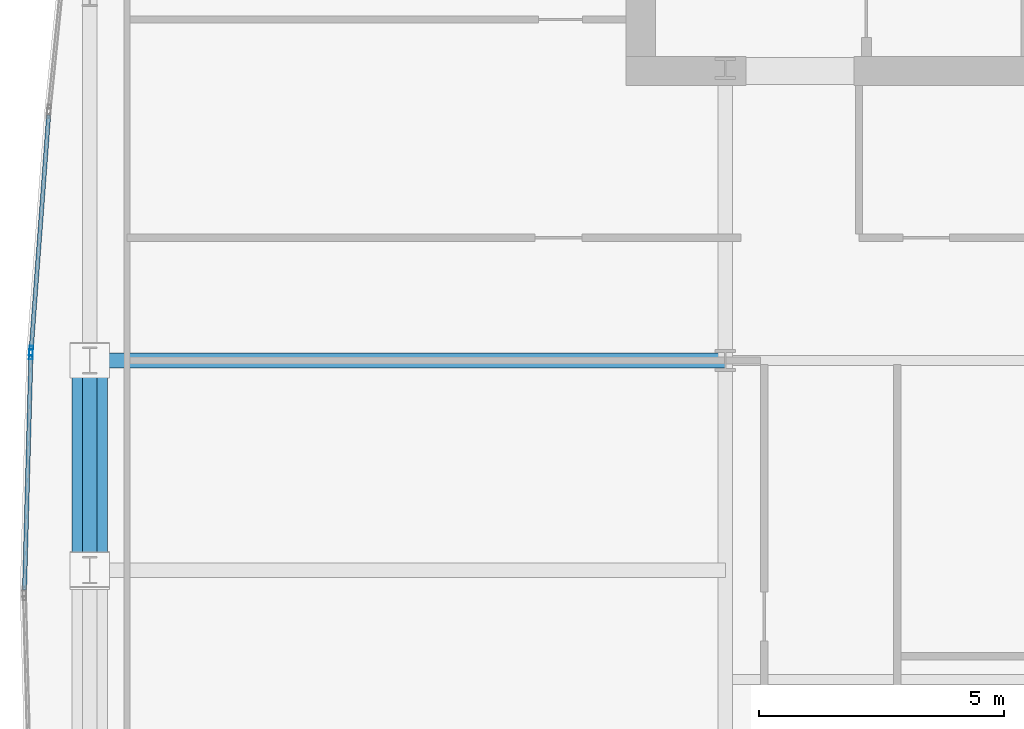
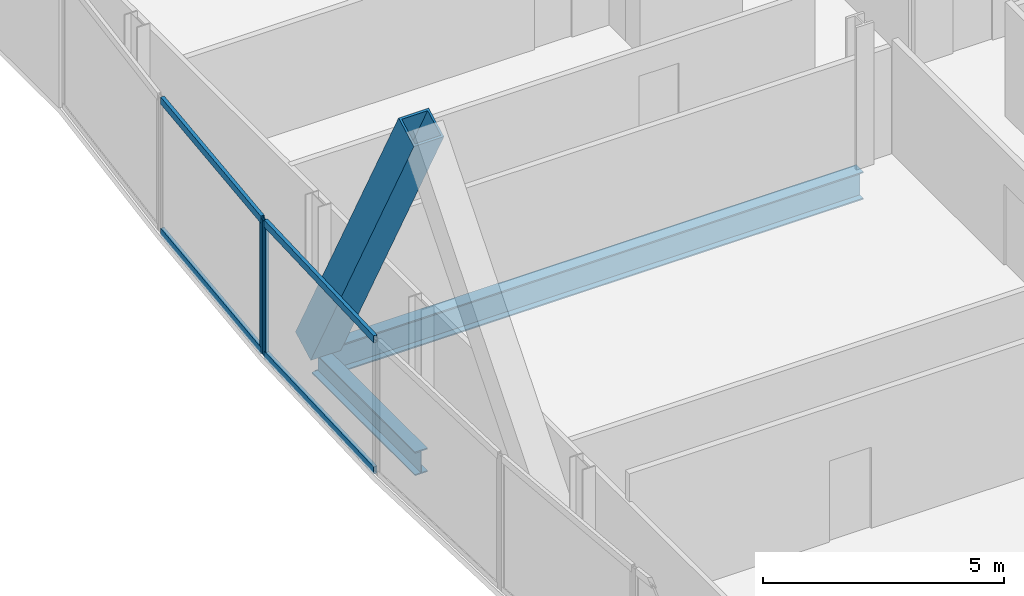
# One storey, part 11 of 29: 7 members, 2 beams, 2 elements without a shape of their own.
"""IFC4 building model written with IfcOpenShell, lengths in metres."""

from ifc_helpers import new_model, si_unit, direction, frame, origin, origin_2d, place, context, subcontext, project, spatial, hollow_rectangle, i_section, extrude, material, material_profile, profile_set, type_object, element, aggregate, save


model = new_model("IFC4")

# Units and contexts
model_context = context("Model", 3, precision=1e-05, world=origin(), true_north=direction((0.0, 1.0)))
body_context = subcontext(model_context, "Body", "Model", "MODEL_VIEW")
ifc_project = project(units=[si_unit("LENGTHUNIT", "METRE"), si_unit("AREAUNIT", "SQUARE_METRE"), si_unit("VOLUMEUNIT", "CUBIC_METRE"), si_unit("PLANEANGLEUNIT", "RADIAN"), si_unit("MASSUNIT", "GRAM", prefix="KILO")], contexts=[model_context])

# Site, building, storey
site_placement = place(None, origin())
site = spatial("IfcSite", under=ifc_project, at=site_placement, CompositionType="ELEMENT")
building_placement = place(site_placement, origin())
building = spatial("IfcBuilding", under=site, at=building_placement, Name="Khoronbel Lancet Exchange", CompositionType="ELEMENT")
storey_placement = place(building_placement, frame((0.0, 0.0, 180.60009765625)))
storey = spatial("IfcBuildingStorey", under=building, at=storey_placement, Name="L45", CompositionType="ELEMENT", Elevation=180.60009765625)

# Beams
ifc_material_1 = material(Name="Steel S355", Category="steel")
ifc_material_profile_1 = material_profile(ifc_material_1, i_section(OverallWidth=0.300048828125, OverallDepth=0.699951171875, WebThickness=0.01708984375, FlangeThickness=0.031982421875, at=origin_2d()), Name="HEB 700")
ifc_profile_set_1 = profile_set([ifc_material_profile_1], Name="Steel S355")
beam_type_1 = type_object("IfcBeamType", Name="BM-BG3", PredefinedType="BEAM", material=ifc_profile_set_1)
beam_1_placement = place(storey_placement, frame((5.27001953125, 35.699951171875, -0.510009765625), z_axis=(1.0, 0.0, 0.0), x_axis=(0.0, 1.0, 0.0)))
element("IfcBeam", 1, at=beam_1_placement, inside=storey, type_object=beam_type_1, Name="Level L45 west lens tie girder LG4W", PredefinedType="BEAM", context=body_context, shape_type="SweptSolid", body=[
    extrude(i_section(OverallWidth=0.300048828125, OverallDepth=0.699951171875, WebThickness=0.01708984375, FlangeThickness=0.031982421875, at=origin_2d()), origin(), (0.0, 0.0, 1.0), 12.955078125),
])
ifc_material_profile_2 = material_profile(ifc_material_1, i_section(OverallWidth=0.300048828125, OverallDepth=0.60009765625, WebThickness=0.015380859375, FlangeThickness=0.030029296875, at=origin_2d()), Name="HEB 600")
ifc_profile_set_2 = profile_set([ifc_material_profile_2], Name="Steel S355")
beam_type_2 = type_object("IfcBeamType", Name="BM-BSP2", PredefinedType="SPANDREL", material=ifc_profile_set_2)
beam_2_placement = place(storey_placement, frame((5.27001953125, 35.699951171875, -0.460205078125), z_axis=(0.0, -1.0, 0.0), x_axis=(1.0, 0.0, 0.0)))
element("IfcBeam", 2, at=beam_2_placement, inside=storey, type_object=beam_type_2, Name="Level L45 perimeter spandrel beam SP18", PredefinedType="SPANDREL", context=body_context, shape_type="SweptSolid", body=[
    extrude(i_section(OverallWidth=0.300048828125, OverallDepth=0.60009765625, WebThickness=0.015380859375, FlangeThickness=0.030029296875, at=origin_2d()), origin(), (0.0, 0.0, 1.0), 4.27490234375),
])

# Curtain wall, member
ifc_material_2 = material(Name="Low-E Solar Control Insulating Glass", Category="glass")
curtain_wall_type = type_object("IfcCurtainWallType", Name="CW-4", PredefinedType="NOTDEFINED", material=ifc_material_2)
curtain_wall_1_placement = place(storey_placement, origin())
curtain_wall_1 = element("IfcCurtainWall", 3, at=curtain_wall_1_placement, inside=storey, type_object=curtain_wall_type, Name="Unitised curtain wall CW-L45-E07", PredefinedType="NOTDEFINED")
ifc_material_3 = material(Name="Bronze-Anodised Aluminium 6063-T6", Category="aluminium")
ifc_material_profile_3 = material_profile(ifc_material_3, hollow_rectangle(XDim=0.074951171875, YDim=0.199951171875, WallThickness=0.0048828125, at=origin_2d()), Name="ALU MULLION 75x200")
ifc_profile_set_3 = profile_set([ifc_material_profile_3], Name="Bronze-Anodised Aluminium 6063-T6")
member_type_1 = type_object("IfcMemberType", Name="MEM-CWM2", PredefinedType="MULLION", material=ifc_profile_set_3)
member_1_placement = place(storey_placement, frame((4.072998046875, 35.82470703125, 0.0), z_axis=(0.0, 0.0, 1.0), x_axis=(-0.99962867447, 0.027249094987, 0.0)))
member_1 = element("IfcMember", 4, at=member_1_placement, type_object=member_type_1, Name="CW4 mullion 2", PredefinedType="MULLION", context=body_context, shape_type="SweptSolid", body=[
    extrude(hollow_rectangle(XDim=0.074951171875, YDim=0.199951171875, WallThickness=0.0048828125, at=origin_2d()), origin(), (0.0, 0.0, 1.0), 3.39990234375),
])

curtain_wall_2_placement = place(storey_placement, origin())
curtain_wall_2 = element("IfcCurtainWall", 5, at=curtain_wall_2_placement, inside=storey, type_object=curtain_wall_type, Name="Unitised curtain wall CW-L45-E08", PredefinedType="NOTDEFINED")
member_2_placement = place(storey_placement, frame((4.07666015625, 35.8994140625, 0.0), z_axis=(0.0, 0.0, 1.0), x_axis=(-0.99723999443, 0.074245494873, 0.0)))
member_2 = element("IfcMember", 6, at=member_2_placement, type_object=member_type_1, Name="CW4 mullion 1", PredefinedType="MULLION", context=body_context, shape_type="SweptSolid", body=[
    extrude(hollow_rectangle(XDim=0.074951171875, YDim=0.199951171875, WallThickness=0.0048828125, at=origin_2d()), origin(), (0.0, 0.0, 1.0), 3.39990234375),
])

# Member
ifc_material_profile_4 = material_profile(ifc_material_3, hollow_rectangle(XDim=0.0849609375, YDim=0.179931640625, WallThickness=0.0048828125, at=origin_2d()), Name="ALU TRANSOM 85x180")
ifc_profile_set_4 = profile_set([ifc_material_profile_4], Name="Bronze-Anodised Aluminium 6063-T6")
member_type_2 = type_object("IfcMemberType", Name="MEM-CWT1", PredefinedType="USERDEFINED", material=ifc_profile_set_4)
member_3_placement = place(storey_placement, frame((3.942138671875, 31.02490234375, 0.04248046875), z_axis=(0.027212312017, 0.999629676468, 0.0), x_axis=(-0.999629676468, 0.027212312017, 0.0)))
member_3 = element("IfcMember", 7, at=member_3_placement, type_object=member_type_2, Name="CW4 transom 1.1", ObjectType="TRANSOM", PredefinedType="USERDEFINED", context=body_context, shape_type="SweptSolid", body=[
    extrude(hollow_rectangle(XDim=0.0849609375, YDim=0.179931640625, WallThickness=0.0048828125, at=origin_2d()), origin(), (0.0, 0.0, 1.0), 4.763916015625),
])

member_4_placement = place(storey_placement, frame((3.942138671875, 31.02490234375, 3.357421875), z_axis=(0.027212312017, 0.999629676468, 0.0), x_axis=(-0.999629676468, 0.027212312017, 0.0)))
member_4 = element("IfcMember", 8, at=member_4_placement, type_object=member_type_2, Name="CW4 transom 1.2", ObjectType="TRANSOM", PredefinedType="USERDEFINED", context=body_context, shape_type="SweptSolid", body=[
    extrude(hollow_rectangle(XDim=0.0849609375, YDim=0.179931640625, WallThickness=0.0048828125, at=origin_2d()), origin(), (0.0, 0.0, 1.0), 4.763916015625),
])

aggregate(curtain_wall_1, [member_1, member_3, member_4])

member_5_placement = place(storey_placement, frame((4.07958984375, 35.93701171875, 0.04248046875), z_axis=(0.07421054985, 0.997242595506, 0.0), x_axis=(-0.997242595506, 0.07421054985, 0.0)))
member_5 = element("IfcMember", 9, at=member_5_placement, type_object=member_type_2, Name="CW4 transom 1.1", ObjectType="TRANSOM", PredefinedType="USERDEFINED", context=body_context, shape_type="SweptSolid", body=[
    extrude(hollow_rectangle(XDim=0.0849609375, YDim=0.179931640625, WallThickness=0.0048828125, at=origin_2d()), origin(), (0.0, 0.0, 1.0), 4.77685546875),
])

member_6_placement = place(storey_placement, frame((4.07958984375, 35.93701171875, 3.357421875), z_axis=(0.07421054985, 0.997242595506, 0.0), x_axis=(-0.997242595506, 0.07421054985, 0.0)))
member_6 = element("IfcMember", 10, at=member_6_placement, type_object=member_type_2, Name="CW4 transom 1.2", ObjectType="TRANSOM", PredefinedType="USERDEFINED", context=body_context, shape_type="SweptSolid", body=[
    extrude(hollow_rectangle(XDim=0.0849609375, YDim=0.179931640625, WallThickness=0.0048828125, at=origin_2d()), origin(), (0.0, 0.0, 1.0), 4.77685546875),
])

aggregate(curtain_wall_2, [member_2, member_5, member_6])

ifc_material_4 = material(Name="Steel S460", Category="steel")
ifc_material_profile_5 = material_profile(ifc_material_4, hollow_rectangle(XDim=0.719970703125, YDim=0.719970703125, WallThickness=0.050048828125, at=origin_2d()), Name="BOX 720x720x50")
ifc_profile_set_5 = profile_set([ifc_material_profile_5], Name="Steel S460")
member_type_3 = type_object("IfcMemberType", Name="MEM-MB2", PredefinedType="BRACE", material=ifc_profile_set_5)
member_7_placement = place(storey_placement, frame((5.27001953125, 35.699951171875, 0.0), z_axis=(0.0, -0.471294972251, 0.881975651098), x_axis=(1.0, 0.0, 0.0)))
element("IfcMember", 11, at=member_7_placement, inside=storey, type_object=member_type_3, Name="Perimeter lancet brace tier 15 W-P-R", PredefinedType="BRACE", context=body_context, shape_type="SweptSolid", body=[
    extrude(hollow_rectangle(XDim=0.719970703125, YDim=0.719970703125, WallThickness=0.050048828125, at=origin_2d()), origin(), (0.0, 0.0, 1.0), 9.070556640625),
])

save(model, "model.ifc")
